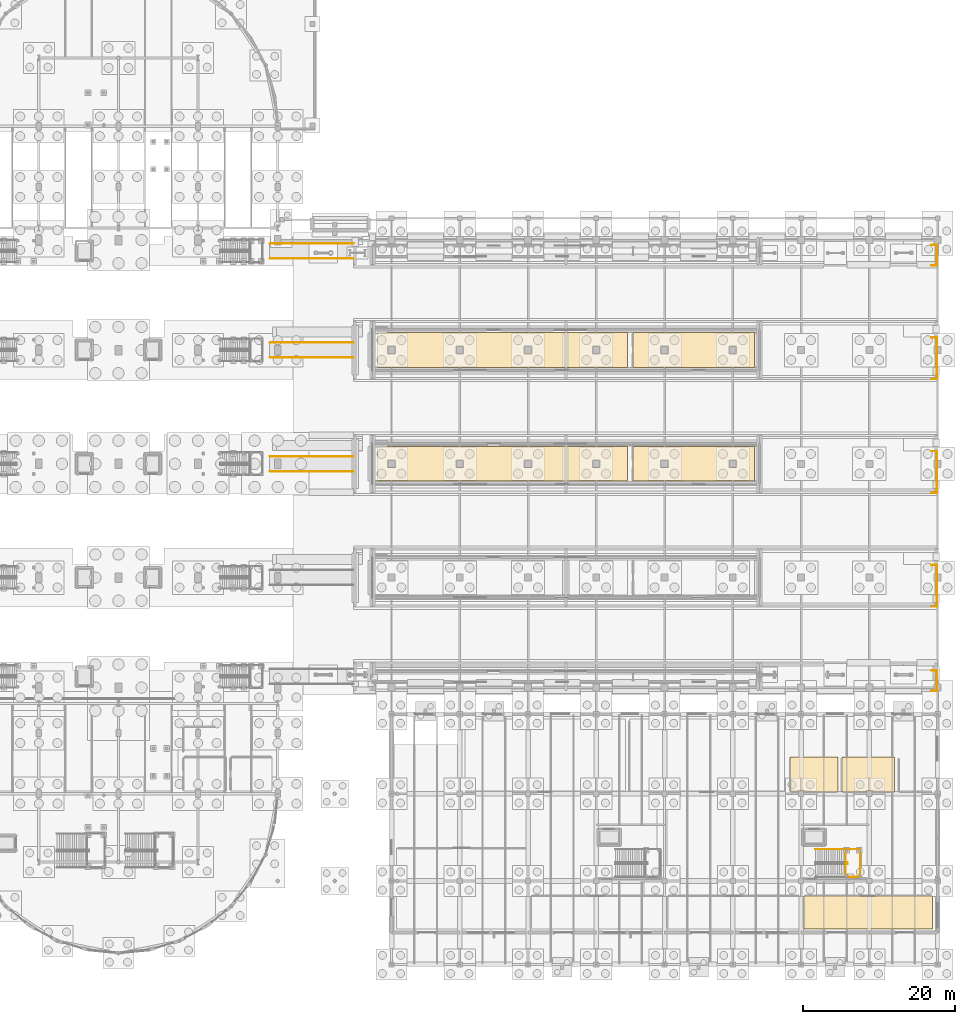
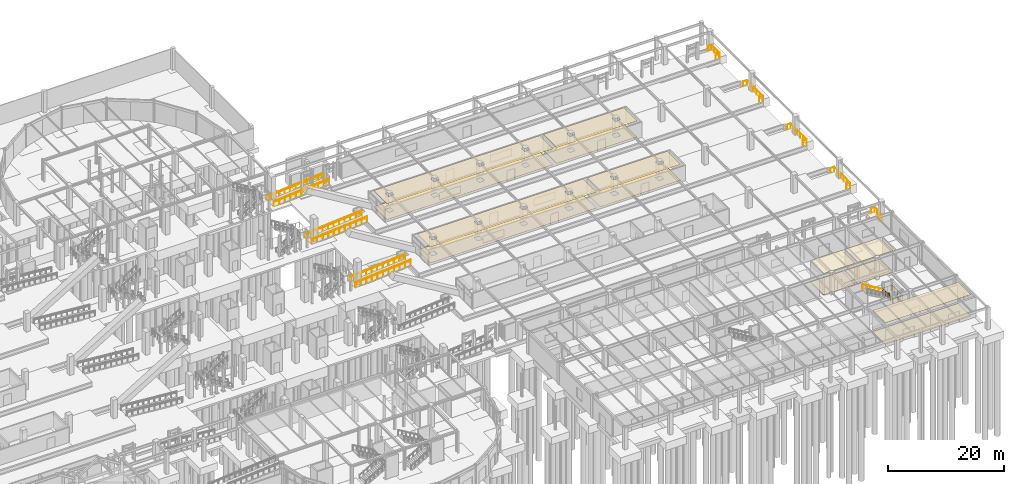
# One storey, part 159 of 160: 20 railings, 14 coverings.
"""IFC4 building model written with IfcOpenShell, lengths in metres."""

import ifcopenshell
import ifcopenshell.guid

model = None  # the IFC model being written
_history = None  # IfcOwnerHistory: only IFC2X3 demands one
_inside = {}  # id of a spatial element -> (the spatial element, [elements in it])
_under = {}  # id of a project, library or spatial element -> (it, [spatial elements below it])
_declared = {}  # id of a project -> (the project, [libraries it declares])
_typed = {}  # id of a type object -> (the type object, [elements of that type])
_made_of = {}  # id of a material, layer set ... -> (it, [elements and type objects made of it])


def new_model(schema):
    """Start an empty IFC model of exactly this schema.

    Asked for "IFC4X3", IfcOpenShell would pick the latest addendum, in which some entities
    have other attributes; the version numbers below select the first issue.
    IFC2X3 requires an IfcOwnerHistory on every rooted entity: one is made here for all.
    """
    global model, _history
    if schema == "IFC4X3":
        model = ifcopenshell.file(schema_version=(4, 3, 0, 0))
    else:
        model = ifcopenshell.file(schema=schema)
    _inside.clear()
    _under.clear()
    _declared.clear()
    _typed.clear()
    _made_of.clear()
    _history = None
    if model.schema == "IFC2X3":
        org = make("IfcOrganization", Name="unknown")
        user = make(
            "IfcPersonAndOrganization",
            ThePerson=make("IfcPerson", FamilyName="unknown"),
            TheOrganization=org,
        )
        app = make(
            "IfcApplication",
            ApplicationDeveloper=org,
            Version="unknown",
            ApplicationFullName="unknown",
            ApplicationIdentifier="unknown",
        )
        _history = make(
            "IfcOwnerHistory",
            OwningUser=user,
            OwningApplication=app,
            ChangeAction="ADDED",
            CreationDate=0,
        )
    return model


def make(cls, **values):
    """One entity of the class cls with the attributes given. An attribute that is None is left unset."""
    return model.create_entity(
        cls, **{name: value for name, value in values.items() if value is not None}
    )


def rooted(cls, **values):
    """An entity with a GlobalId (a new one), such as an element, a storey or a relation."""
    return make(cls, GlobalId=ifcopenshell.guid.new(), OwnerHistory=_history, **values)


def si_unit(unit_type, name, prefix=None):
    """IfcSIUnit, for example si_unit("LENGTHUNIT", "METRE", prefix="MILLI")."""
    return make("IfcSIUnit", UnitType=unit_type, Prefix=prefix, Name=name)


def assignment(units):
    """IfcUnitAssignment: the units of a project."""
    return None if units is None else make("IfcUnitAssignment", Units=units)


def point(xyz):
    """IfcCartesianPoint."""
    return None if xyz is None else make("IfcCartesianPoint", Coordinates=xyz)


def direction(xyz):
    """IfcDirection."""
    return None if xyz is None else make("IfcDirection", DirectionRatios=xyz)


def frame(location, z_axis=None, x_axis=None):
    """IfcAxis2Placement3D, a coordinate frame: its origin and axes. An axis left out is left unset."""
    return make(
        "IfcAxis2Placement3D",
        Location=point(location),
        Axis=direction(z_axis),
        RefDirection=direction(x_axis),
    )


def frame_2d(location, x_axis=None):
    """IfcAxis2Placement2D, a coordinate frame in the plane: its origin and x axis."""
    return make(
        "IfcAxis2Placement2D", Location=point(location), RefDirection=direction(x_axis)
    )


def origin():
    """The frame at (0, 0, 0) with its axes left unset."""
    return frame((0.0, 0.0, 0.0))


def origin_2d():
    """The frame at (0, 0) in the plane with its x axis left unset."""
    return frame_2d((0.0, 0.0))


def place(relative_to, where):
    """IfcLocalPlacement: puts the frame where relative to a parent placement (None: the world)."""
    return make(
        "IfcLocalPlacement", PlacementRelTo=relative_to, RelativePlacement=where
    )


def context(
    kind, dimensions, precision=None, world=None, true_north=None, identifier=None
):
    """IfcGeometricRepresentationContext, for example the 3D "Model" context."""
    return make(
        "IfcGeometricRepresentationContext",
        ContextIdentifier=identifier,
        ContextType=kind,
        CoordinateSpaceDimension=dimensions,
        Precision=precision,
        WorldCoordinateSystem=world,
        TrueNorth=true_north,
    )


def subcontext(parent, identifier, kind, view, scale=None):
    """IfcGeometricRepresentationSubContext, for example "Body" below "Model"."""
    return make(
        "IfcGeometricRepresentationSubContext",
        ContextIdentifier=identifier,
        ContextType=kind,
        ParentContext=parent,
        TargetScale=scale,
        TargetView=view,
    )


def project(units=None, contexts=None):
    """IfcProject with its units and contexts."""
    return rooted(
        "IfcProject",
        Name="project",
        RepresentationContexts=contexts,
        UnitsInContext=assignment(units),
    )


def spatial(cls, under=None, at=None, **own):
    """A site, building, storey or space (cls), placed at a placement, below another one or the project."""
    s = rooted(cls, ObjectPlacement=at, **own)
    if under is not None:
        _under.setdefault(under.id(), (under, []))[1].append(s)
    return s


def polyline(points):
    """IfcPolyline through the points."""
    return make("IfcPolyline", Points=[point(p) for p in points])


def profile(cls, at=None, kind="AREA", **sizes):
    """A parametric profile (cls). Its sizes go by their IFC names, for example OverallWidth=200.0."""
    return make(cls, ProfileType=kind, Position=at, **sizes)


def circle(**sizes):
    """IfcCircleProfileDef."""
    return profile("IfcCircleProfileDef", **sizes)


def outline(outer, holes=None, kind="AREA"):
    """IfcArbitraryClosedProfileDef: a profile drawn as a closed curve; with holes, ...WithVoids."""
    if holes is None:
        return make("IfcArbitraryClosedProfileDef", ProfileType=kind, OuterCurve=outer)
    return make(
        "IfcArbitraryProfileDefWithVoids",
        ProfileType=kind,
        OuterCurve=outer,
        InnerCurves=holes,
    )


def extrude(swept, where, along, depth):
    """IfcExtrudedAreaSolid: the profile swept, set in the frame where, extruded along a direction by depth."""
    return make(
        "IfcExtrudedAreaSolid",
        SweptArea=swept,
        Position=where,
        ExtrudedDirection=direction(along),
        Depth=depth,
    )


def shape(context_of_items, identifier, shape_type, items):
    """IfcShapeRepresentation: the items that make up one representation, for example the "Body"."""
    return make(
        "IfcShapeRepresentation",
        ContextOfItems=context_of_items,
        RepresentationIdentifier=identifier,
        RepresentationType=shape_type,
        Items=items,
    )


def material(Name=None, Category=None):
    """IfcMaterial."""
    return make("IfcMaterial", Name=Name, Category=Category)


def layer(
    of_material, thickness, ventilated=None, Name=None, Category=None, Priority=None
):
    """IfcMaterialLayer: one layer of a wall or slab, of a material (None: an air gap)."""
    return make(
        "IfcMaterialLayer",
        Material=of_material,
        LayerThickness=thickness,
        IsVentilated=ventilated,
        Name=Name,
        Category=Category,
        Priority=Priority,
    )


def layer_set(layers, Name=None):
    """IfcMaterialLayerSet."""
    return make("IfcMaterialLayerSet", MaterialLayers=layers, LayerSetName=Name)


def made_of(thing, what):
    """Note that an element or type object is made of a material, layer set ...; save() writes the relation."""
    if what is not None:
        _made_of.setdefault(what.id(), (what, []))[1].append(thing)
    return thing


def type_object(cls, material=None, **own):
    """A type object (cls), such as IfcWallType, which elements share."""
    return made_of(rooted(cls, **own), material)


def element(
    cls,
    number,
    at=None,
    inside=None,
    cuts=None,
    type_object=None,
    material=None,
    context=None,
    identifier="Body",
    shape_type=None,
    held_by="IfcProductDefinitionShape",
    body=None,
    shapes=None,
    **own,
):
    """One element of the class cls, such as IfcWall. Its Tag is "e" and its number.

    at: its placement. inside: the storey or other place that contains it. cuts: it is an
    opening in that element (IfcRelVoidsElement). A single representation is given by context,
    identifier, shape_type and body (its items); several are given by shapes. held_by: the class
    of the entity that holds the representations. save() writes the other relations.
    """
    e = rooted(cls, Tag="e%d" % number, ObjectPlacement=at, **own)
    if body is not None:
        shapes = [shape(context, identifier, shape_type, body)]
    if shapes is not None:
        e.Representation = make(held_by, Representations=shapes)
    if inside is not None:
        _inside.setdefault(inside.id(), (inside, []))[1].append(e)
    if cuts is not None:
        rooted(
            "IfcRelVoidsElement", RelatingBuildingElement=cuts, RelatedOpeningElement=e
        )
    if type_object is not None:
        _typed.setdefault(type_object.id(), (type_object, []))[1].append(e)
    return made_of(e, material)


def aggregate(whole, parts):
    """IfcRelAggregates: a whole, such as a stair, and the parts it consists of."""
    return rooted("IfcRelAggregates", RelatingObject=whole, RelatedObjects=parts)


def save(model, path):
    """Write the relations noted so far, then the file.

    IfcRelAggregates (storeys below a building ...), IfcRelContainedInSpatialStructure (elements
    in a storey), IfcRelDefinesByType, IfcRelAssociatesMaterial and IfcRelDeclares: one each for
    every whole, place, type object, material and project.
    """
    for whole, parts in _under.values():
        aggregate(whole, parts)
    for where, things in _inside.values():
        rooted(
            "IfcRelContainedInSpatialStructure",
            RelatedElements=things,
            RelatingStructure=where,
        )
    for kind, things in _typed.values():
        rooted("IfcRelDefinesByType", RelatedObjects=things, RelatingType=kind)
    for what, things in _made_of.values():
        rooted("IfcRelAssociatesMaterial", RelatedObjects=things, RelatingMaterial=what)
    for by, libraries in _declared.values():
        rooted("IfcRelDeclares", RelatingContext=by, RelatedDefinitions=libraries)
    model.write(path)


model = new_model("IFC4")

# Units and contexts
model_context = context("Model", 3, precision=1e-05, world=origin(), true_north=direction((0.0, 1.0)))
body_context = subcontext(model_context, "Body", "Model", "MODEL_VIEW")
ifc_project = project(units=[si_unit("LENGTHUNIT", "METRE"), si_unit("AREAUNIT", "SQUARE_METRE"), si_unit("VOLUMEUNIT", "CUBIC_METRE"), si_unit("PLANEANGLEUNIT", "RADIAN"), si_unit("MASSUNIT", "GRAM", prefix="KILO")], contexts=[model_context])

# Site, building, storey
site_placement = place(None, origin())
site = spatial("IfcSite", under=ifc_project, at=site_placement, CompositionType="ELEMENT")
building_placement = place(site_placement, origin())
building = spatial("IfcBuilding", under=site, at=building_placement, Name="Marlcrest Central Station", CompositionType="ELEMENT")
storey_placement = place(building_placement, origin())
storey = spatial("IfcBuildingStorey", under=building, at=storey_placement, Name="L00", CompositionType="ELEMENT", Elevation=0.0)

# Coverings
ifc_material_1 = material(Name="Perforated acoustic mineral-fibre ceiling")
ifc_layer_1 = layer(ifc_material_1, 0.02490234375, Name="CV-CLG")
ifc_layer_set_1 = layer_set([ifc_layer_1], Name="Perforated acoustic mineral-fibre ceiling")
covering_type_1 = type_object("IfcCoveringType", Name="CV-CLG", PredefinedType="CEILING", material=ifc_layer_set_1)
covering_1_placement = place(storey_placement, frame((0.0, 0.0, 4.27490234375)))
element("IfcCovering", 1, at=covering_1_placement, inside=storey, type_object=covering_type_1, Name="cov-clg-0018", PredefinedType="CEILING", context=body_context, shape_type="SweptSolid", body=[
    extrude(outline(polyline([(175.139892578125, 63.7099609375), (142.159912109375, 63.7099609375), (142.159912109375, 68.2900390625), (175.139892578125, 68.2900390625), (175.139892578125, 63.7099609375)]), holes=[polyline([(144.510009765625, 65.489990234375), (144.510009765625, 66.510009765625), (143.489990234375, 66.510009765625), (143.489990234375, 65.489990234375), (144.510009765625, 65.489990234375)]), polyline([(152.489990234375, 65.489990234375), (153.510009765625, 65.489990234375), (153.510009765625, 66.510009765625), (152.489990234375, 66.510009765625), (152.489990234375, 65.489990234375)]), polyline([(161.489990234375, 66.510009765625), (161.489990234375, 65.489990234375), (162.510009765625, 65.489990234375), (162.510009765625, 66.510009765625), (161.489990234375, 66.510009765625)]), polyline([(171.510009765625, 66.510009765625), (170.489990234375, 66.510009765625), (170.489990234375, 65.489990234375), (171.510009765625, 65.489990234375), (171.510009765625, 66.510009765625)])]), origin(), (0.0, 0.0, 1.0), 0.025146484375),
])
covering_2_placement = place(storey_placement, frame((0.0, 0.0, 4.27490234375)))
element("IfcCovering", 2, at=covering_2_placement, inside=storey, type_object=covering_type_1, Name="cov-clg-0020", PredefinedType="CEILING", context=body_context, shape_type="SweptSolid", body=[
    extrude(outline(polyline([(175.860107421875, 68.2900390625), (191.840087890625, 68.2900390625), (191.840087890625, 63.7099609375), (175.860107421875, 63.7099609375), (175.860107421875, 68.2900390625)]), holes=[polyline([(179.489990234375, 66.510009765625), (179.489990234375, 65.489990234375), (180.510009765625, 65.489990234375), (180.510009765625, 66.510009765625), (179.489990234375, 66.510009765625)]), polyline([(189.510009765625, 66.510009765625), (188.489990234375, 66.510009765625), (188.489990234375, 65.489990234375), (189.510009765625, 65.489990234375), (189.510009765625, 66.510009765625)])]), origin(), (0.0, 0.0, 1.0), 0.025146484375),
])
covering_3_placement = place(storey_placement, frame((0.0, 0.0, 4.27490234375)))
element("IfcCovering", 3, at=covering_3_placement, inside=storey, type_object=covering_type_1, Name="cov-clg-0026", PredefinedType="CEILING", context=body_context, shape_type="SweptSolid", body=[
    extrude(outline(polyline([(175.139892578125, 78.7099609375), (142.159912109375, 78.7099609375), (142.159912109375, 83.2900390625), (175.139892578125, 83.2900390625), (175.139892578125, 78.7099609375)]), holes=[polyline([(144.510009765625, 80.489990234375), (144.510009765625, 81.510009765625), (143.489990234375, 81.510009765625), (143.489990234375, 80.489990234375), (144.510009765625, 80.489990234375)]), polyline([(152.489990234375, 80.489990234375), (153.510009765625, 80.489990234375), (153.510009765625, 81.510009765625), (152.489990234375, 81.510009765625), (152.489990234375, 80.489990234375)]), polyline([(161.489990234375, 81.510009765625), (161.489990234375, 80.489990234375), (162.510009765625, 80.489990234375), (162.510009765625, 81.510009765625), (161.489990234375, 81.510009765625)]), polyline([(171.510009765625, 81.510009765625), (170.489990234375, 81.510009765625), (170.489990234375, 80.489990234375), (171.510009765625, 80.489990234375), (171.510009765625, 81.510009765625)])]), origin(), (0.0, 0.0, 1.0), 0.025146484375),
])
covering_4_placement = place(storey_placement, frame((0.0, 0.0, 4.27490234375)))
element("IfcCovering", 4, at=covering_4_placement, inside=storey, type_object=covering_type_1, Name="cov-clg-0028", PredefinedType="CEILING", context=body_context, shape_type="SweptSolid", body=[
    extrude(outline(polyline([(175.860107421875, 83.2900390625), (191.840087890625, 83.2900390625), (191.840087890625, 78.7099609375), (175.860107421875, 78.7099609375), (175.860107421875, 83.2900390625)]), holes=[polyline([(179.489990234375, 81.510009765625), (179.489990234375, 80.489990234375), (180.510009765625, 80.489990234375), (180.510009765625, 81.510009765625), (179.489990234375, 81.510009765625)]), polyline([(189.510009765625, 81.510009765625), (188.489990234375, 81.510009765625), (188.489990234375, 80.489990234375), (189.510009765625, 80.489990234375), (189.510009765625, 81.510009765625)])]), origin(), (0.0, 0.0, 1.0), 0.025146484375),
])
covering_5_placement = place(storey_placement, frame((0.0, 0.0, 4.47509765625)))
element("IfcCovering", 5, at=covering_5_placement, inside=storey, type_object=covering_type_1, Name="cov-clg-0048", PredefinedType="CEILING", context=body_context, shape_type="SweptSolid", body=[
    extrude(outline(polyline([(215.340087890625, 4.659912109375), (215.340087890625, 9.0400390625), (198.360107421875, 9.0400390625), (198.360107421875, 4.659912109375), (215.340087890625, 4.659912109375)])), origin(), (0.0, 0.0, 1.0), 0.02490234375),
])
covering_6_placement = place(storey_placement, frame((0.0, 0.0, 4.47509765625)))
element("IfcCovering", 6, at=covering_6_placement, inside=storey, type_object=covering_type_1, Name="cov-clg-0054", PredefinedType="CEILING", context=body_context, shape_type="SweptSolid", body=[
    extrude(outline(polyline([(196.56005859375, 22.760009765625), (196.56005859375, 27.340087890625), (202.840087890625, 27.340087890625), (202.840087890625, 22.760009765625), (198.409912109375, 22.760009765625), (198.409912109375, 22.909912109375), (197.590087890625, 22.909912109375), (197.590087890625, 22.760009765625), (196.56005859375, 22.760009765625)])), origin(), (0.0, 0.0, 1.0), 0.02490234375),
])
covering_7_placement = place(storey_placement, frame((0.0, 0.0, 4.47509765625)))
element("IfcCovering", 7, at=covering_7_placement, inside=storey, type_object=covering_type_1, Name="cov-clg-0056", PredefinedType="CEILING", context=body_context, shape_type="SweptSolid", body=[
    extrude(outline(polyline([(203.360107421875, 22.760009765625), (203.360107421875, 27.340087890625), (210.340087890625, 27.340087890625), (210.340087890625, 22.760009765625), (207.409912109375, 22.760009765625), (207.409912109375, 22.909912109375), (206.590087890625, 22.909912109375), (206.590087890625, 22.760009765625), (203.360107421875, 22.760009765625)])), origin(), (0.0, 0.0, 1.0), 0.02490234375),
])
ifc_material_2 = material(Name="Polished terrazzo and tactile transit flooring")
ifc_layer_2 = layer(ifc_material_2, 0.030029296875, Name="CV-FLR")
ifc_layer_set_2 = layer_set([ifc_layer_2], Name="Polished terrazzo and tactile transit flooring")
covering_type_2 = type_object("IfcCoveringType", Name="CV-FLR", PredefinedType="FLOORING", material=ifc_layer_set_2)
covering_8_placement = place(storey_placement, frame((0.0, 0.0, 0.9150390625)))
element("IfcCovering", 8, at=covering_8_placement, inside=storey, type_object=covering_type_2, Name="cov-flr-0019", PredefinedType="FLOORING", context=body_context, shape_type="SweptSolid", body=[
    extrude(outline(polyline([(175.139892578125, 63.7099609375), (142.159912109375, 63.7099609375), (142.159912109375, 68.2900390625), (175.139892578125, 68.2900390625), (175.139892578125, 63.7099609375)]), holes=[polyline([(144.510009765625, 65.489990234375), (144.510009765625, 66.510009765625), (143.489990234375, 66.510009765625), (143.489990234375, 65.489990234375), (144.510009765625, 65.489990234375)]), polyline([(152.489990234375, 65.489990234375), (153.510009765625, 65.489990234375), (153.510009765625, 66.510009765625), (152.489990234375, 66.510009765625), (152.489990234375, 65.489990234375)]), polyline([(161.489990234375, 66.510009765625), (161.489990234375, 65.489990234375), (162.510009765625, 65.489990234375), (162.510009765625, 66.510009765625), (161.489990234375, 66.510009765625)]), polyline([(171.510009765625, 66.510009765625), (170.489990234375, 66.510009765625), (170.489990234375, 65.489990234375), (171.510009765625, 65.489990234375), (171.510009765625, 66.510009765625)])]), origin(), (0.0, 0.0, 1.0), 0.030029296875),
])
covering_9_placement = place(storey_placement, frame((0.0, 0.0, 0.9150390625)))
element("IfcCovering", 9, at=covering_9_placement, inside=storey, type_object=covering_type_2, Name="cov-flr-0021", PredefinedType="FLOORING", context=body_context, shape_type="SweptSolid", body=[
    extrude(outline(polyline([(175.860107421875, 68.2900390625), (191.840087890625, 68.2900390625), (191.840087890625, 63.7099609375), (175.860107421875, 63.7099609375), (175.860107421875, 68.2900390625)]), holes=[polyline([(179.489990234375, 66.510009765625), (179.489990234375, 65.489990234375), (180.510009765625, 65.489990234375), (180.510009765625, 66.510009765625), (179.489990234375, 66.510009765625)]), polyline([(189.510009765625, 66.510009765625), (188.489990234375, 66.510009765625), (188.489990234375, 65.489990234375), (189.510009765625, 65.489990234375), (189.510009765625, 66.510009765625)])]), origin(), (0.0, 0.0, 1.0), 0.030029296875),
])
covering_10_placement = place(storey_placement, frame((0.0, 0.0, 0.9150390625)))
element("IfcCovering", 10, at=covering_10_placement, inside=storey, type_object=covering_type_2, Name="cov-flr-0027", PredefinedType="FLOORING", context=body_context, shape_type="SweptSolid", body=[
    extrude(outline(polyline([(175.139892578125, 78.7099609375), (142.159912109375, 78.7099609375), (142.159912109375, 83.2900390625), (175.139892578125, 83.2900390625), (175.139892578125, 78.7099609375)]), holes=[polyline([(144.510009765625, 80.489990234375), (144.510009765625, 81.510009765625), (143.489990234375, 81.510009765625), (143.489990234375, 80.489990234375), (144.510009765625, 80.489990234375)]), polyline([(152.489990234375, 80.489990234375), (153.510009765625, 80.489990234375), (153.510009765625, 81.510009765625), (152.489990234375, 81.510009765625), (152.489990234375, 80.489990234375)]), polyline([(161.489990234375, 81.510009765625), (161.489990234375, 80.489990234375), (162.510009765625, 80.489990234375), (162.510009765625, 81.510009765625), (161.489990234375, 81.510009765625)]), polyline([(171.510009765625, 81.510009765625), (170.489990234375, 81.510009765625), (170.489990234375, 80.489990234375), (171.510009765625, 80.489990234375), (171.510009765625, 81.510009765625)])]), origin(), (0.0, 0.0, 1.0), 0.030029296875),
])
covering_11_placement = place(storey_placement, frame((0.0, 0.0, 0.9150390625)))
element("IfcCovering", 11, at=covering_11_placement, inside=storey, type_object=covering_type_2, Name="cov-flr-0029", PredefinedType="FLOORING", context=body_context, shape_type="SweptSolid", body=[
    extrude(outline(polyline([(175.860107421875, 83.2900390625), (191.840087890625, 83.2900390625), (191.840087890625, 78.7099609375), (175.860107421875, 78.7099609375), (175.860107421875, 83.2900390625)]), holes=[polyline([(179.489990234375, 81.510009765625), (179.489990234375, 80.489990234375), (180.510009765625, 80.489990234375), (180.510009765625, 81.510009765625), (179.489990234375, 81.510009765625)]), polyline([(189.510009765625, 81.510009765625), (188.489990234375, 81.510009765625), (188.489990234375, 80.489990234375), (189.510009765625, 80.489990234375), (189.510009765625, 81.510009765625)])]), origin(), (0.0, 0.0, 1.0), 0.030029296875),
])
covering_12_placement = place(storey_placement, origin())
element("IfcCovering", 12, at=covering_12_placement, inside=storey, type_object=covering_type_2, Name="cov-flr-0049", PredefinedType="FLOORING", context=body_context, shape_type="SweptSolid", body=[
    extrude(outline(polyline([(215.340087890625, 4.659912109375), (215.340087890625, 9.0400390625), (198.360107421875, 9.0400390625), (198.360107421875, 4.659912109375), (215.340087890625, 4.659912109375)])), origin(), (0.0, 0.0, 1.0), 0.030029296875),
])
covering_13_placement = place(storey_placement, origin())
element("IfcCovering", 13, at=covering_13_placement, inside=storey, type_object=covering_type_2, Name="cov-flr-0055", PredefinedType="FLOORING", context=body_context, shape_type="SweptSolid", body=[
    extrude(outline(polyline([(196.56005859375, 22.760009765625), (196.56005859375, 27.340087890625), (202.840087890625, 27.340087890625), (202.840087890625, 22.760009765625), (198.409912109375, 22.760009765625), (198.409912109375, 22.909912109375), (197.590087890625, 22.909912109375), (197.590087890625, 22.760009765625), (196.56005859375, 22.760009765625)])), origin(), (0.0, 0.0, 1.0), 0.030029296875),
])
covering_14_placement = place(storey_placement, origin())
element("IfcCovering", 14, at=covering_14_placement, inside=storey, type_object=covering_type_2, Name="cov-flr-0057", PredefinedType="FLOORING", context=body_context, shape_type="SweptSolid", body=[
    extrude(outline(polyline([(203.360107421875, 22.760009765625), (203.360107421875, 27.340087890625), (210.340087890625, 27.340087890625), (210.340087890625, 22.760009765625), (207.409912109375, 22.760009765625), (207.409912109375, 22.909912109375), (206.590087890625, 22.909912109375), (206.590087890625, 22.760009765625), (203.360107421875, 22.760009765625)])), origin(), (0.0, 0.0, 1.0), 0.030029296875),
])

# Railings
ifc_material_3 = material(Name="Stainless steel and laminated glass concourse balustrade", Category="steel")
railing_type_1 = type_object("IfcRailingType", Name="GR-02", PredefinedType="BALUSTRADE", material=ifc_material_3)
for number, where, name in (
    (15, (128.0, 65.010009765625, 0.0), "hr-L00-00093"),
    (16, (128.0, 66.989990234375, 0.0), "hr-L00-00095"),
    (17, (128.0, 80.010009765625, 0.0), "hr-L00-00127"),
    (18, (128.0, 81.989990234375, 0.0), "hr-L00-00129"),
    (19, (128.0, 93.06005859375, 0.0), "hr-L00-00161"),
    (20, (128.0, 95.0400390625, 0.0), "hr-L00-00163"),
):
    element("IfcRailing", number, at=place(storey_placement, frame(where)), inside=storey, type_object=railing_type_1, Name=name, PredefinedType="BALUSTRADE", context=body_context, shape_type="SweptSolid", body=[
        extrude(circle(Radius=0.02392578125, at=origin_2d()), frame((0.0, 0.0, 1.09619140625), z_axis=(0.996557950635, 0.0, 0.082899041171), x_axis=(0.0, 1.0, 0.0)), (0.0, 0.0, 1.0), 11.0380859375),
        extrude(circle(Radius=0.02099609375, at=origin_2d()), origin(), (0.0, 0.0, 1.0), 1.072021484375),
        extrude(circle(Radius=0.02099609375, at=origin_2d()), frame((1.10009765625, 0.0, 0.091552734375)), (0.0, 0.0, 1.0), 1.072021484375),
        extrude(circle(Radius=0.02099609375, at=origin_2d()), frame((2.199951171875, 0.0, 0.18310546875)), (0.0, 0.0, 1.0), 1.072021484375),
        extrude(circle(Radius=0.02099609375, at=origin_2d()), frame((3.300048828125, 0.0, 0.2744140625)), (0.0, 0.0, 1.0), 1.072021484375),
        extrude(circle(Radius=0.02099609375, at=origin_2d()), frame((4.39990234375, 0.0, 0.365966796875)), (0.0, 0.0, 1.0), 1.072021484375),
        extrude(circle(Radius=0.02099609375, at=origin_2d()), frame((5.5, 0.0, 0.45751953125)), (0.0, 0.0, 1.0), 1.072021484375),
        extrude(circle(Radius=0.02099609375, at=origin_2d()), frame((6.60009765625, 0.0, 0.549072265625)), (0.0, 0.0, 1.0), 1.072021484375),
        extrude(circle(Radius=0.02099609375, at=origin_2d()), frame((7.699951171875, 0.0, 0.640625)), (0.0, 0.0, 1.0), 1.072021484375),
        extrude(circle(Radius=0.02099609375, at=origin_2d()), frame((8.800048828125, 0.0, 0.73193359375)), (0.0, 0.0, 1.0), 1.072021484375),
        extrude(circle(Radius=0.02099609375, at=origin_2d()), frame((9.89990234375, 0.0, 0.823486328125)), (0.0, 0.0, 1.0), 1.072021484375),
        extrude(circle(Radius=0.02099609375, at=origin_2d()), frame((11.0, 0.0, 0.9150390625)), (0.0, 0.0, 1.0), 1.072021484375),
    ])
railing_1_placement = place(storey_placement, frame((203.8701171875, 11.510009765625, 2.39990234375)))
element("IfcRailing", 21, at=railing_1_placement, inside=storey, type_object=railing_type_1, Name="hr-L00-00210", PredefinedType="BALUSTRADE", context=body_context, shape_type="SweptSolid", body=[
    extrude(circle(Radius=0.02392578125, at=origin_2d()), frame((0.0, 0.0, 1.09619140625), z_axis=(1.0, 0.0, 0.0), x_axis=(0.0, 1.0, 0.0)), (0.0, 0.0, 1.0), 1.919921875),
    extrude(circle(Radius=0.02392578125, at=origin_2d()), frame((1.919921875, 0.0, 1.09619140625), z_axis=(0.0, 1.0, 0.0), x_axis=(-1.0, 0.0, 0.0)), (0.0, 0.0, 1.0), 3.679931640625),
    extrude(circle(Radius=0.02392578125, at=origin_2d()), frame((1.919921875, 3.679931640625, 1.09619140625), z_axis=(-1.0, 0.0, 0.0), x_axis=(0.0, -1.0, 0.0)), (0.0, 0.0, 1.0), 1.919921875),
    extrude(circle(Radius=0.02099609375, at=origin_2d()), origin(), (0.0, 0.0, 1.0), 1.072021484375),
    extrude(circle(Radius=0.02099609375, at=origin_2d()), frame((0.9599609375, 0.0, 0.0)), (0.0, 0.0, 1.0), 1.072021484375),
    extrude(circle(Radius=0.02099609375, at=origin_2d()), frame((1.919921875, 0.0, 0.0)), (0.0, 0.0, 1.0), 1.072021484375),
    extrude(circle(Radius=0.02099609375, at=origin_2d()), frame((1.919921875, 0.919921875, 0.0)), (0.0, 0.0, 1.0), 1.072021484375),
    extrude(circle(Radius=0.02099609375, at=origin_2d()), frame((1.919921875, 1.83984375, 0.0)), (0.0, 0.0, 1.0), 1.072021484375),
    extrude(circle(Radius=0.02099609375, at=origin_2d()), frame((1.919921875, 2.760009765625, 0.0)), (0.0, 0.0, 1.0), 1.072021484375),
    extrude(circle(Radius=0.02099609375, at=origin_2d()), frame((1.919921875, 3.679931640625, 0.0)), (0.0, 0.0, 1.0), 1.072021484375),
    extrude(circle(Radius=0.02099609375, at=origin_2d()), frame((0.9599609375, 3.679931640625, 0.0)), (0.0, 0.0, 1.0), 1.072021484375),
    extrude(circle(Radius=0.02099609375, at=origin_2d()), frame((0.0, 3.679931640625, 0.0)), (0.0, 0.0, 1.0), 1.072021484375),
])
railing_2_placement = place(storey_placement, frame((215.199951171875, 38.748046875, 0.9150390625)))
element("IfcRailing", 22, at=railing_2_placement, inside=storey, type_object=railing_type_1, Name="hr-L00-00376", PredefinedType="BALUSTRADE", context=body_context, shape_type="SweptSolid", body=[
    extrude(circle(Radius=0.02392578125, at=origin_2d()), frame((0.0, 0.0, 1.09619140625), z_axis=(1.0, 0.0, 0.0), x_axis=(0.0, 1.0, 0.0)), (0.0, 0.0, 1.0), 0.739990234375),
    extrude(circle(Radius=0.02392578125, at=origin_2d()), frame((0.739990234375, 0.0, 1.09619140625), z_axis=(0.0, -1.0, 0.0), x_axis=(1.0, 0.0, 0.0)), (0.0, 0.0, 1.0), 2.68798828125),
    extrude(circle(Radius=0.02392578125, at=origin_2d()), frame((0.739990234375, -2.68798828125, 1.09619140625), z_axis=(-1.0, 0.0, 0.0), x_axis=(0.0, -1.0, 0.0)), (0.0, 0.0, 1.0), 0.739990234375),
    extrude(circle(Radius=0.02099609375, at=origin_2d()), origin(), (0.0, 0.0, 1.0), 1.072021484375),
    extrude(circle(Radius=0.02099609375, at=origin_2d()), frame((0.739990234375, 0.0, 0.0)), (0.0, 0.0, 1.0), 1.072021484375),
    extrude(circle(Radius=0.02099609375, at=origin_2d()), frame((0.739990234375, -0.89599609375, 0.0)), (0.0, 0.0, 1.0), 1.072021484375),
    extrude(circle(Radius=0.02099609375, at=origin_2d()), frame((0.739990234375, -1.7919921875, 0.0)), (0.0, 0.0, 1.0), 1.072021484375),
    extrude(circle(Radius=0.02099609375, at=origin_2d()), frame((0.739990234375, -2.68798828125, 0.0)), (0.0, 0.0, 1.0), 1.072021484375),
    extrude(circle(Radius=0.02099609375, at=origin_2d()), frame((0.0, -2.68798828125, 0.0)), (0.0, 0.0, 1.0), 1.072021484375),
])
for number, where, name in (
    (23, (215.199951171875, 52.656005859375, 0.9150390625), "hr-L00-00379"),
    (24, (215.199951171875, 67.656005859375, 0.9150390625), "hr-L00-00382"),
    (25, (215.199951171875, 82.656005859375, 0.9150390625), "hr-L00-00385"),
):
    element("IfcRailing", number, at=place(storey_placement, frame(where)), inside=storey, type_object=railing_type_1, Name=name, PredefinedType="BALUSTRADE", context=body_context, shape_type="SweptSolid", body=[
        extrude(circle(Radius=0.02392578125, at=origin_2d()), frame((0.0, 0.0, 1.09619140625), z_axis=(1.0, 0.0, 0.0), x_axis=(0.0, 1.0, 0.0)), (0.0, 0.0, 1.0), 0.739990234375),
        extrude(circle(Radius=0.02392578125, at=origin_2d()), frame((0.739990234375, 0.0, 1.09619140625), z_axis=(0.0, -1.0, 0.0), x_axis=(1.0, 0.0, 0.0)), (0.0, 0.0, 1.0), 5.49609375),
        extrude(circle(Radius=0.02392578125, at=origin_2d()), frame((0.739990234375, -5.49609375, 1.09619140625), z_axis=(-1.0, 0.0, 0.0), x_axis=(0.0, -1.0, 0.0)), (0.0, 0.0, 1.0), 0.739990234375),
        extrude(circle(Radius=0.02099609375, at=origin_2d()), origin(), (0.0, 0.0, 1.0), 1.072021484375),
        extrude(circle(Radius=0.02099609375, at=origin_2d()), frame((0.739990234375, 0.0, 0.0)), (0.0, 0.0, 1.0), 1.072021484375),
        extrude(circle(Radius=0.02099609375, at=origin_2d()), frame((0.739990234375, -1.09912109375, 0.0)), (0.0, 0.0, 1.0), 1.072021484375),
        extrude(circle(Radius=0.02099609375, at=origin_2d()), frame((0.739990234375, -2.198486328125, 0.0)), (0.0, 0.0, 1.0), 1.072021484375),
        extrude(circle(Radius=0.02099609375, at=origin_2d()), frame((0.739990234375, -3.297607421875, 0.0)), (0.0, 0.0, 1.0), 1.072021484375),
        extrude(circle(Radius=0.02099609375, at=origin_2d()), frame((0.739990234375, -4.39697265625, 0.0)), (0.0, 0.0, 1.0), 1.072021484375),
        extrude(circle(Radius=0.02099609375, at=origin_2d()), frame((0.739990234375, -5.49609375, 0.0)), (0.0, 0.0, 1.0), 1.072021484375),
        extrude(circle(Radius=0.02099609375, at=origin_2d()), frame((0.0, -5.49609375, 0.0)), (0.0, 0.0, 1.0), 1.072021484375),
    ])
railing_3_placement = place(storey_placement, frame((215.199951171875, 94.847900390625, 0.9150390625)))
element("IfcRailing", 26, at=railing_3_placement, inside=storey, type_object=railing_type_1, Name="hr-L00-00388", PredefinedType="BALUSTRADE", context=body_context, shape_type="SweptSolid", body=[
    extrude(circle(Radius=0.02392578125, at=origin_2d()), frame((0.0, 0.0, 1.09619140625), z_axis=(1.0, 0.0, 0.0), x_axis=(0.0, 1.0, 0.0)), (0.0, 0.0, 1.0), 0.739990234375),
    extrude(circle(Radius=0.02392578125, at=origin_2d()), frame((0.739990234375, 0.0, 1.09619140625), z_axis=(0.0, -1.0, 0.0), x_axis=(1.0, 0.0, 0.0)), (0.0, 0.0, 1.0), 2.68798828125),
    extrude(circle(Radius=0.02392578125, at=origin_2d()), frame((0.739990234375, -2.68798828125, 1.09619140625), z_axis=(-1.0, 0.0, 0.0), x_axis=(0.0, -1.0, 0.0)), (0.0, 0.0, 1.0), 0.739990234375),
    extrude(circle(Radius=0.02099609375, at=origin_2d()), origin(), (0.0, 0.0, 1.0), 1.072021484375),
    extrude(circle(Radius=0.02099609375, at=origin_2d()), frame((0.739990234375, 0.0, 0.0)), (0.0, 0.0, 1.0), 1.072021484375),
    extrude(circle(Radius=0.02099609375, at=origin_2d()), frame((0.739990234375, -0.89599609375, 0.0)), (0.0, 0.0, 1.0), 1.072021484375),
    extrude(circle(Radius=0.02099609375, at=origin_2d()), frame((0.739990234375, -1.7919921875, 0.0)), (0.0, 0.0, 1.0), 1.072021484375),
    extrude(circle(Radius=0.02099609375, at=origin_2d()), frame((0.739990234375, -2.68798828125, 0.0)), (0.0, 0.0, 1.0), 1.072021484375),
    extrude(circle(Radius=0.02099609375, at=origin_2d()), frame((0.0, -2.68798828125, 0.0)), (0.0, 0.0, 1.0), 1.072021484375),
])
railing_4_placement = place(storey_placement, frame((203.889892578125, 11.760009765625, 2.39990234375)))
element("IfcRailing", 27, at=railing_4_placement, inside=storey, type_object=railing_type_1, Name="hr-L00-00596", PredefinedType="BALUSTRADE", context=body_context, shape_type="SweptSolid", body=[
    extrude(circle(Radius=0.02392578125, at=origin_2d()), frame((0.0, 0.0, 1.09619140625), z_axis=(0.0, 1.0, 0.0), x_axis=(-1.0, 0.0, 0.0)), (0.0, 0.0, 1.0), 1.469970703125),
    extrude(circle(Radius=0.02392578125, at=origin_2d()), frame((0.0, 1.469970703125, 1.09619140625), z_axis=(1.0, 0.0, 0.0), x_axis=(0.0, 1.0, 0.0)), (0.0, 0.0, 1.0), 0.25),
    extrude(circle(Radius=0.02392578125, at=origin_2d()), frame((0.25, 1.469970703125, 1.09619140625), z_axis=(0.0, 1.0, 0.0), x_axis=(-1.0, 0.0, 0.0)), (0.0, 0.0, 1.0), 0.239990234375),
    extrude(circle(Radius=0.02392578125, at=origin_2d()), frame((0.25, 1.7099609375, 1.09619140625), z_axis=(-1.0, 0.0, 0.0), x_axis=(0.0, -1.0, 0.0)), (0.0, 0.0, 1.0), 0.25),
    extrude(circle(Radius=0.02392578125, at=origin_2d()), frame((0.0, 1.7099609375, 1.09619140625), z_axis=(0.0, 1.0, 0.0), x_axis=(-1.0, 0.0, 0.0)), (0.0, 0.0, 1.0), 1.469970703125),
    extrude(circle(Radius=0.02099609375, at=origin_2d()), origin(), (0.0, 0.0, 1.0), 1.072021484375),
    extrude(circle(Radius=0.02099609375, at=origin_2d()), frame((0.0, 0.73486328125, 0.0)), (0.0, 0.0, 1.0), 1.072021484375),
    extrude(circle(Radius=0.02099609375, at=origin_2d()), frame((0.0, 1.469970703125, 0.0)), (0.0, 0.0, 1.0), 1.072021484375),
    extrude(circle(Radius=0.02099609375, at=origin_2d()), frame((0.25, 1.469970703125, 0.0)), (0.0, 0.0, 1.0), 1.072021484375),
    extrude(circle(Radius=0.02099609375, at=origin_2d()), frame((0.25, 1.7099609375, 0.0)), (0.0, 0.0, 1.0), 1.072021484375),
    extrude(circle(Radius=0.02099609375, at=origin_2d()), frame((0.0, 1.7099609375, 0.0)), (0.0, 0.0, 1.0), 1.072021484375),
    extrude(circle(Radius=0.02099609375, at=origin_2d()), frame((0.0, 2.44482421875, 0.0)), (0.0, 0.0, 1.0), 1.072021484375),
    extrude(circle(Radius=0.02099609375, at=origin_2d()), frame((0.0, 3.179931640625, 0.0)), (0.0, 0.0, 1.0), 1.072021484375),
])
ifc_material_4 = material(Name="Brushed stainless steel handrail", Category="steel")
railing_type_2 = type_object("IfcRailingType", Name="HR-01", PredefinedType="HANDRAIL", material=ifc_material_4)
for number, where, name in (
    (28, (128.0, 65.010009765625, 0.0), "hr-L00-00092"),
    (29, (128.0, 66.989990234375, 0.0), "hr-L00-00094"),
    (30, (128.0, 80.010009765625, 0.0), "hr-L00-00126"),
    (31, (128.0, 81.989990234375, 0.0), "hr-L00-00128"),
    (32, (128.0, 93.06005859375, 0.0), "hr-L00-00160"),
    (33, (128.0, 95.0400390625, 0.0), "hr-L00-00162"),
):
    element("IfcRailing", number, at=place(storey_placement, frame(where)), inside=storey, type_object=railing_type_2, Name=name, PredefinedType="HANDRAIL", context=body_context, shape_type="SweptSolid", body=[
        extrude(circle(Radius=0.02392578125, at=origin_2d()), frame((0.0, 0.0, 0.89599609375), z_axis=(0.996557950635, 0.0, 0.082899041171), x_axis=(0.0, 1.0, 0.0)), (0.0, 0.0, 1.0), 11.0380859375),
        extrude(circle(Radius=0.02099609375, at=origin_2d()), origin(), (0.0, 0.0, 1.0), 0.871826171875),
        extrude(circle(Radius=0.02099609375, at=origin_2d()), frame((1.10009765625, 0.0, 0.091552734375)), (0.0, 0.0, 1.0), 0.871826171875),
        extrude(circle(Radius=0.02099609375, at=origin_2d()), frame((2.199951171875, 0.0, 0.18310546875)), (0.0, 0.0, 1.0), 0.871826171875),
        extrude(circle(Radius=0.02099609375, at=origin_2d()), frame((3.300048828125, 0.0, 0.2744140625)), (0.0, 0.0, 1.0), 0.871826171875),
        extrude(circle(Radius=0.02099609375, at=origin_2d()), frame((4.39990234375, 0.0, 0.365966796875)), (0.0, 0.0, 1.0), 0.871826171875),
        extrude(circle(Radius=0.02099609375, at=origin_2d()), frame((5.5, 0.0, 0.45751953125)), (0.0, 0.0, 1.0), 0.871826171875),
        extrude(circle(Radius=0.02099609375, at=origin_2d()), frame((6.60009765625, 0.0, 0.549072265625)), (0.0, 0.0, 1.0), 0.871826171875),
        extrude(circle(Radius=0.02099609375, at=origin_2d()), frame((7.699951171875, 0.0, 0.640625)), (0.0, 0.0, 1.0), 0.871826171875),
        extrude(circle(Radius=0.02099609375, at=origin_2d()), frame((8.800048828125, 0.0, 0.73193359375)), (0.0, 0.0, 1.0), 0.871826171875),
        extrude(circle(Radius=0.02099609375, at=origin_2d()), frame((9.89990234375, 0.0, 0.823486328125)), (0.0, 0.0, 1.0), 0.871826171875),
        extrude(circle(Radius=0.02099609375, at=origin_2d()), frame((11.0, 0.0, 0.9150390625)), (0.0, 0.0, 1.0), 0.871826171875),
    ])
railing_5_placement = place(storey_placement, frame((203.909912109375, 15.179931640625, 2.39990234375)))
element("IfcRailing", 34, at=railing_5_placement, inside=storey, type_object=railing_type_2, Name="hr-L00-00209", PredefinedType="HANDRAIL", context=body_context, shape_type="SweptSolid", body=[
    extrude(circle(Radius=0.02392578125, at=origin_2d()), frame((0.0, 0.0, 0.89599609375), z_axis=(-0.856909445827, 0.0, 0.515466974357), x_axis=(0.0, -1.0, 0.0)), (0.0, 0.0, 1.0), 4.65625),
    extrude(circle(Radius=0.02099609375, at=origin_2d()), origin(), (0.0, 0.0, 1.0), 0.871826171875),
    extrude(circle(Radius=0.02099609375, at=origin_2d()), frame((-0.798095703125, 0.0, 0.47998046875)), (0.0, 0.0, 1.0), 0.871826171875),
    extrude(circle(Radius=0.02099609375, at=origin_2d()), frame((-1.595947265625, 0.0, 0.9599609375)), (0.0, 0.0, 1.0), 0.871826171875),
    extrude(circle(Radius=0.02099609375, at=origin_2d()), frame((-2.39404296875, 0.0, 1.440185546875)), (0.0, 0.0, 1.0), 0.871826171875),
    extrude(circle(Radius=0.02099609375, at=origin_2d()), frame((-3.19189453125, 0.0, 1.920166015625)), (0.0, 0.0, 1.0), 0.871826171875),
    extrude(circle(Radius=0.02099609375, at=origin_2d()), frame((-3.989990234375, 0.0, 2.400146484375)), (0.0, 0.0, 1.0), 0.871826171875),
])

save(model, "model.ifc")
